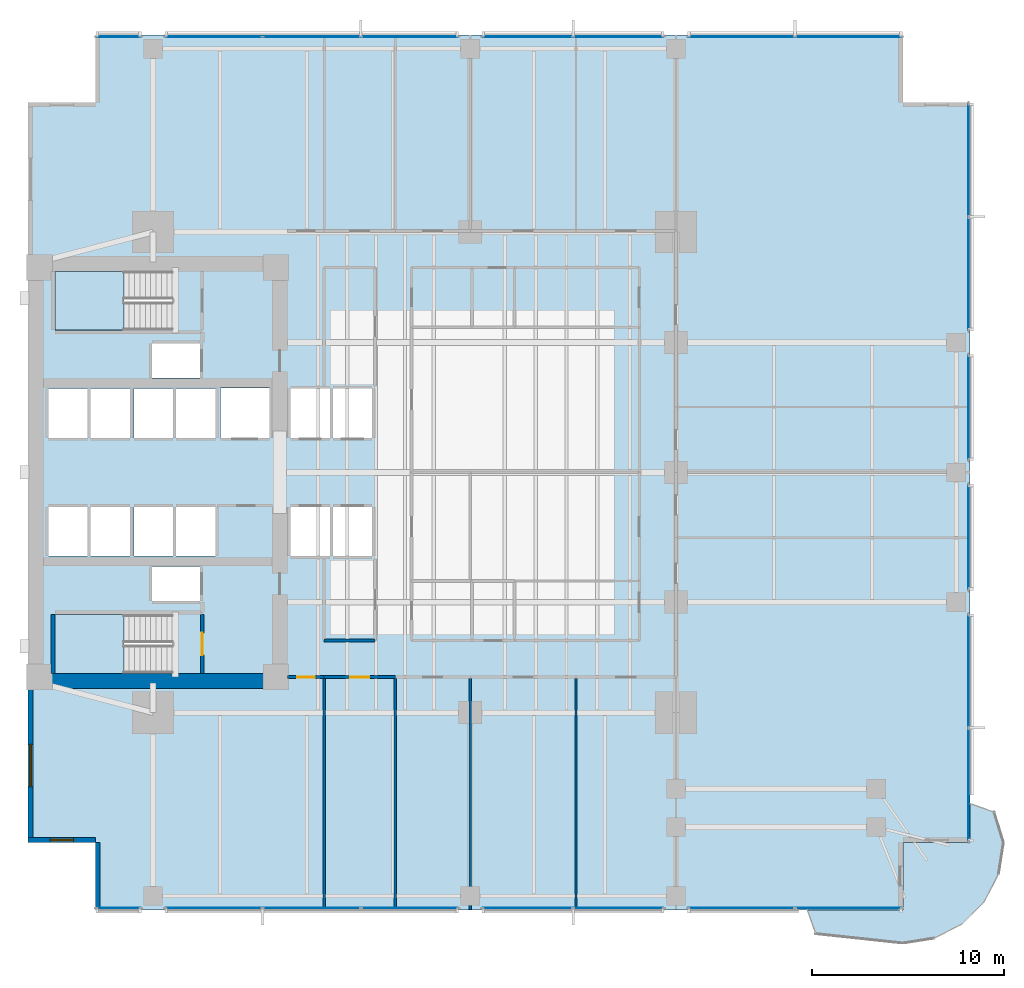
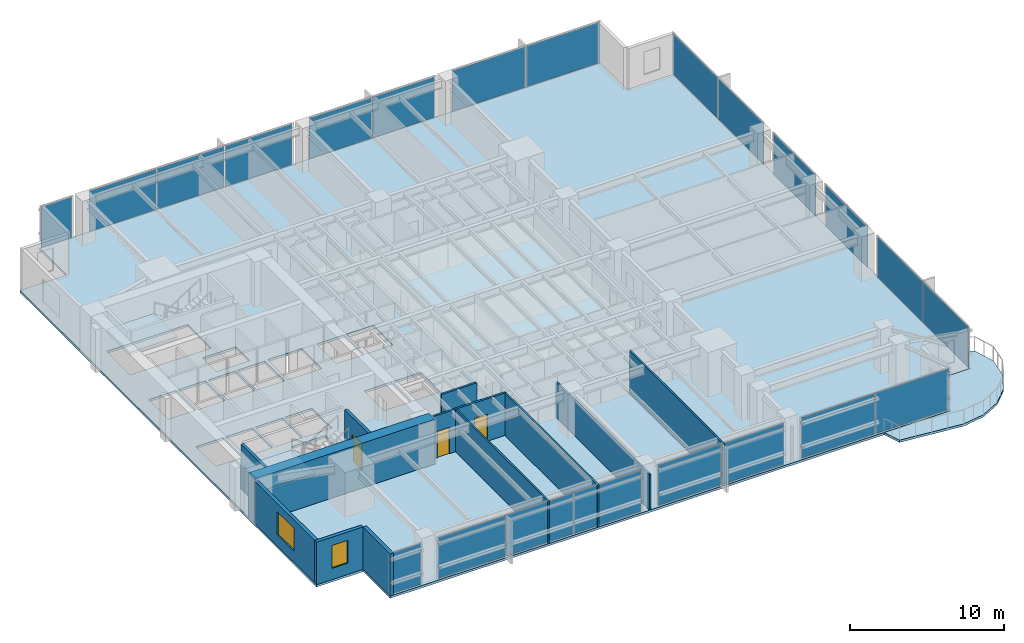
# One storey, part 7 of 15: 22 plates, 13 walls, 4 slabs, 3 doors, 2 windows, 5 openings, 14 elements without a shape of their own.
"""IFC4 building model written with IfcOpenShell, lengths in metres."""

import ifcopenshell
import ifcopenshell.guid

model = None  # the IFC model being written
_history = None  # IfcOwnerHistory: only IFC2X3 demands one
_inside = {}  # id of a spatial element -> (the spatial element, [elements in it])
_under = {}  # id of a project, library or spatial element -> (it, [spatial elements below it])
_declared = {}  # id of a project -> (the project, [libraries it declares])
_typed = {}  # id of a type object -> (the type object, [elements of that type])
_made_of = {}  # id of a material, layer set ... -> (it, [elements and type objects made of it])


def new_model(schema):
    """Start an empty IFC model of exactly this schema.

    Asked for "IFC4X3", IfcOpenShell would pick the latest addendum, in which some entities
    have other attributes; the version numbers below select the first issue.
    IFC2X3 requires an IfcOwnerHistory on every rooted entity: one is made here for all.
    """
    global model, _history
    if schema == "IFC4X3":
        model = ifcopenshell.file(schema_version=(4, 3, 0, 0))
    else:
        model = ifcopenshell.file(schema=schema)
    _inside.clear()
    _under.clear()
    _declared.clear()
    _typed.clear()
    _made_of.clear()
    _history = None
    if model.schema == "IFC2X3":
        org = make("IfcOrganization", Name="unknown")
        user = make(
            "IfcPersonAndOrganization",
            ThePerson=make("IfcPerson", FamilyName="unknown"),
            TheOrganization=org,
        )
        app = make(
            "IfcApplication",
            ApplicationDeveloper=org,
            Version="unknown",
            ApplicationFullName="unknown",
            ApplicationIdentifier="unknown",
        )
        _history = make(
            "IfcOwnerHistory",
            OwningUser=user,
            OwningApplication=app,
            ChangeAction="ADDED",
            CreationDate=0,
        )
    return model


def make(cls, **values):
    """One entity of the class cls with the attributes given. An attribute that is None is left unset."""
    return model.create_entity(
        cls, **{name: value for name, value in values.items() if value is not None}
    )


def rooted(cls, **values):
    """An entity with a GlobalId (a new one), such as an element, a storey or a relation."""
    return make(cls, GlobalId=ifcopenshell.guid.new(), OwnerHistory=_history, **values)


def si_unit(unit_type, name, prefix=None):
    """IfcSIUnit, for example si_unit("LENGTHUNIT", "METRE", prefix="MILLI")."""
    return make("IfcSIUnit", UnitType=unit_type, Prefix=prefix, Name=name)


def assignment(units):
    """IfcUnitAssignment: the units of a project."""
    return None if units is None else make("IfcUnitAssignment", Units=units)


def point(xyz):
    """IfcCartesianPoint."""
    return None if xyz is None else make("IfcCartesianPoint", Coordinates=xyz)


def direction(xyz):
    """IfcDirection."""
    return None if xyz is None else make("IfcDirection", DirectionRatios=xyz)


def frame(location, z_axis=None, x_axis=None):
    """IfcAxis2Placement3D, a coordinate frame: its origin and axes. An axis left out is left unset."""
    return make(
        "IfcAxis2Placement3D",
        Location=point(location),
        Axis=direction(z_axis),
        RefDirection=direction(x_axis),
    )


def frame_2d(location, x_axis=None):
    """IfcAxis2Placement2D, a coordinate frame in the plane: its origin and x axis."""
    return make(
        "IfcAxis2Placement2D", Location=point(location), RefDirection=direction(x_axis)
    )


def origin():
    """The frame at (0, 0, 0) with its axes left unset."""
    return frame((0.0, 0.0, 0.0))


def origin_2d():
    """The frame at (0, 0) in the plane with its x axis left unset."""
    return frame_2d((0.0, 0.0))


def place(relative_to, where):
    """IfcLocalPlacement: puts the frame where relative to a parent placement (None: the world)."""
    return make(
        "IfcLocalPlacement", PlacementRelTo=relative_to, RelativePlacement=where
    )


def context(
    kind, dimensions, precision=None, world=None, true_north=None, identifier=None
):
    """IfcGeometricRepresentationContext, for example the 3D "Model" context."""
    return make(
        "IfcGeometricRepresentationContext",
        ContextIdentifier=identifier,
        ContextType=kind,
        CoordinateSpaceDimension=dimensions,
        Precision=precision,
        WorldCoordinateSystem=world,
        TrueNorth=true_north,
    )


def subcontext(parent, identifier, kind, view, scale=None):
    """IfcGeometricRepresentationSubContext, for example "Body" below "Model"."""
    return make(
        "IfcGeometricRepresentationSubContext",
        ContextIdentifier=identifier,
        ContextType=kind,
        ParentContext=parent,
        TargetScale=scale,
        TargetView=view,
    )


def project(units=None, contexts=None):
    """IfcProject with its units and contexts."""
    return rooted(
        "IfcProject",
        Name="project",
        RepresentationContexts=contexts,
        UnitsInContext=assignment(units),
    )


def spatial(cls, under=None, at=None, **own):
    """A site, building, storey or space (cls), placed at a placement, below another one or the project."""
    s = rooted(cls, ObjectPlacement=at, **own)
    if under is not None:
        _under.setdefault(under.id(), (under, []))[1].append(s)
    return s


def polyline(points):
    """IfcPolyline through the points."""
    return make("IfcPolyline", Points=[point(p) for p in points])


def profile(cls, at=None, kind="AREA", **sizes):
    """A parametric profile (cls). Its sizes go by their IFC names, for example OverallWidth=200.0."""
    return make(cls, ProfileType=kind, Position=at, **sizes)


def rectangle(**sizes):
    """IfcRectangleProfileDef."""
    return profile("IfcRectangleProfileDef", **sizes)


def outline(outer, holes=None, kind="AREA"):
    """IfcArbitraryClosedProfileDef: a profile drawn as a closed curve; with holes, ...WithVoids."""
    if holes is None:
        return make("IfcArbitraryClosedProfileDef", ProfileType=kind, OuterCurve=outer)
    return make(
        "IfcArbitraryProfileDefWithVoids",
        ProfileType=kind,
        OuterCurve=outer,
        InnerCurves=holes,
    )


def extrude(swept, where, along, depth):
    """IfcExtrudedAreaSolid: the profile swept, set in the frame where, extruded along a direction by depth."""
    return make(
        "IfcExtrudedAreaSolid",
        SweptArea=swept,
        Position=where,
        ExtrudedDirection=direction(along),
        Depth=depth,
    )


def shape(context_of_items, identifier, shape_type, items):
    """IfcShapeRepresentation: the items that make up one representation, for example the "Body"."""
    return make(
        "IfcShapeRepresentation",
        ContextOfItems=context_of_items,
        RepresentationIdentifier=identifier,
        RepresentationType=shape_type,
        Items=items,
    )


def material(Name=None, Category=None):
    """IfcMaterial."""
    return make("IfcMaterial", Name=Name, Category=Category)


def layer(
    of_material, thickness, ventilated=None, Name=None, Category=None, Priority=None
):
    """IfcMaterialLayer: one layer of a wall or slab, of a material (None: an air gap)."""
    return make(
        "IfcMaterialLayer",
        Material=of_material,
        LayerThickness=thickness,
        IsVentilated=ventilated,
        Name=Name,
        Category=Category,
        Priority=Priority,
    )


def layer_set(layers, Name=None):
    """IfcMaterialLayerSet."""
    return make("IfcMaterialLayerSet", MaterialLayers=layers, LayerSetName=Name)


def made_of(thing, what):
    """Note that an element or type object is made of a material, layer set ...; save() writes the relation."""
    if what is not None:
        _made_of.setdefault(what.id(), (what, []))[1].append(thing)
    return thing


def type_object(cls, material=None, **own):
    """A type object (cls), such as IfcWallType, which elements share."""
    return made_of(rooted(cls, **own), material)


def element(
    cls,
    number,
    at=None,
    inside=None,
    cuts=None,
    type_object=None,
    material=None,
    context=None,
    identifier="Body",
    shape_type=None,
    held_by="IfcProductDefinitionShape",
    body=None,
    shapes=None,
    **own,
):
    """One element of the class cls, such as IfcWall. Its Tag is "e" and its number.

    at: its placement. inside: the storey or other place that contains it. cuts: it is an
    opening in that element (IfcRelVoidsElement). A single representation is given by context,
    identifier, shape_type and body (its items); several are given by shapes. held_by: the class
    of the entity that holds the representations. save() writes the other relations.
    """
    e = rooted(cls, Tag="e%d" % number, ObjectPlacement=at, **own)
    if body is not None:
        shapes = [shape(context, identifier, shape_type, body)]
    if shapes is not None:
        e.Representation = make(held_by, Representations=shapes)
    if inside is not None:
        _inside.setdefault(inside.id(), (inside, []))[1].append(e)
    if cuts is not None:
        rooted(
            "IfcRelVoidsElement", RelatingBuildingElement=cuts, RelatedOpeningElement=e
        )
    if type_object is not None:
        _typed.setdefault(type_object.id(), (type_object, []))[1].append(e)
    return made_of(e, material)


def fill(opening, filler):
    """IfcRelFillsElement: the door or window that sits in an opening."""
    return rooted(
        "IfcRelFillsElement",
        RelatingOpeningElement=opening,
        RelatedBuildingElement=filler,
    )


def aggregate(whole, parts):
    """IfcRelAggregates: a whole, such as a stair, and the parts it consists of."""
    return rooted("IfcRelAggregates", RelatingObject=whole, RelatedObjects=parts)


def save(model, path):
    """Write the relations noted so far, then the file.

    IfcRelAggregates (storeys below a building ...), IfcRelContainedInSpatialStructure (elements
    in a storey), IfcRelDefinesByType, IfcRelAssociatesMaterial and IfcRelDeclares: one each for
    every whole, place, type object, material and project.
    """
    for whole, parts in _under.values():
        aggregate(whole, parts)
    for where, things in _inside.values():
        rooted(
            "IfcRelContainedInSpatialStructure",
            RelatedElements=things,
            RelatingStructure=where,
        )
    for kind, things in _typed.values():
        rooted("IfcRelDefinesByType", RelatedObjects=things, RelatingType=kind)
    for what, things in _made_of.values():
        rooted("IfcRelAssociatesMaterial", RelatedObjects=things, RelatingMaterial=what)
    for by, libraries in _declared.values():
        rooted("IfcRelDeclares", RelatingContext=by, RelatedDefinitions=libraries)
    model.write(path)


model = new_model("IFC4")

# Units and contexts
model_context = context("Model", 3, precision=1e-05, world=origin(), true_north=direction((0.0, 1.0)))
body_context = subcontext(model_context, "Body", "Model", "MODEL_VIEW")
ifc_project = project(units=[si_unit("LENGTHUNIT", "METRE"), si_unit("AREAUNIT", "SQUARE_METRE"), si_unit("VOLUMEUNIT", "CUBIC_METRE"), si_unit("PLANEANGLEUNIT", "RADIAN"), si_unit("MASSUNIT", "GRAM", prefix="KILO")], contexts=[model_context])

# Site, building, storey
site_placement = place(None, origin())
site = spatial("IfcSite", under=ifc_project, at=site_placement, CompositionType="ELEMENT")
building_placement = place(site_placement, origin())
building = spatial("IfcBuilding", under=site, at=building_placement, Name="Kinhvarn Gate Tower", CompositionType="ELEMENT")
storey_placement = place(building_placement, frame((0.0, 0.0, 64.64990234375)))
storey = spatial("IfcBuildingStorey", under=building, at=storey_placement, Name="L16", CompositionType="ELEMENT", Elevation=64.64990234375)

# Curtain wall, plate
ifc_material_1 = material(Name="Anodised aluminium AW-6063", Category="aluminium")
ifc_layer_1 = layer(ifc_material_1, 0.179931640625)
ifc_layer_set_1 = layer_set([ifc_layer_1], Name="Anodised aluminium AW-6063")
curtain_wall_type = type_object("IfcCurtainWallType", Name="CW-SYS-2", PredefinedType="NOTDEFINED", material=ifc_layer_set_1)
curtain_wall_1_placement = place(storey_placement, origin())
curtain_wall_1 = element("IfcCurtainWall", 1, at=curtain_wall_1_placement, inside=storey, type_object=curtain_wall_type, Name="Curtain Wall CW2 (L16)", PredefinedType="NOTDEFINED")
ifc_material_2 = material(Name="Clear low-e double glazing", Category="glass")
ifc_layer_2 = layer(ifc_material_2, 0.031982421875)
ifc_layer_set_2 = layer_set([ifc_layer_2], Name="Clear low-e double glazing")
plate_type = type_object("IfcPlateType", Name="CW-PNL-VIS", PredefinedType="CURTAIN_PANEL", material=ifc_layer_set_2)
plate_1_placement = place(storey_placement, frame((9.2099609375, 2.590087890625, 0.070068359375), z_axis=(0.0, 0.0, 1.0), x_axis=(1.0, 0.0, 0.0)))
plate_1 = element("IfcPlate", 2, at=plate_1_placement, type_object=plate_type, Name="CW2 panel 1.1", PredefinedType="CURTAIN_PANEL", context=body_context, shape_type="SweptSolid", body=[
    extrude(rectangle(XDim=2.280029296875, YDim=0.031982421875, at=origin_2d()), origin(), (0.0, 0.0, 1.0), 3.22998046875),
])
aggregate(curtain_wall_1, [plate_1])

# Curtain wall, plates
curtain_wall_2_placement = place(storey_placement, origin())
curtain_wall_2 = element("IfcCurtainWall", 3, at=curtain_wall_2_placement, inside=storey, type_object=curtain_wall_type, Name="Curtain Wall CW2 (L16)", PredefinedType="NOTDEFINED")
plate_2_placement = place(storey_placement, frame((14.154052734375, 2.590087890625, 0.070068359375), z_axis=(0.0, 0.0, 1.0), x_axis=(1.0, 0.0, 0.0)))
plate_2 = element("IfcPlate", 4, at=plate_2_placement, type_object=plate_type, Name="CW2 panel 1.1", PredefinedType="CURTAIN_PANEL", context=body_context, shape_type="SweptSolid", body=[
    extrude(rectangle(XDim=5.00830078125, YDim=0.031982421875, at=origin_2d()), origin(), (0.0, 0.0, 1.0), 3.22998046875),
])
plate_3_placement = place(storey_placement, frame((19.25, 2.590087890625, 0.070068359375), z_axis=(0.0, 0.0, 1.0), x_axis=(1.0, 0.0, 0.0)))
plate_3 = element("IfcPlate", 5, at=plate_3_placement, type_object=plate_type, Name="CW2 panel 2.1", PredefinedType="CURTAIN_PANEL", context=body_context, shape_type="SweptSolid", body=[
    extrude(rectangle(XDim=5.043212890625, YDim=0.031982421875, at=origin_2d()), origin(), (0.0, 0.0, 1.0), 3.22998046875),
])
plate_4_placement = place(storey_placement, frame((24.345947265625, 2.590087890625, 0.070068359375), z_axis=(0.0, 0.0, 1.0), x_axis=(1.0, 0.0, 0.0)))
plate_4 = element("IfcPlate", 6, at=plate_4_placement, type_object=plate_type, Name="CW2 panel 3.1", PredefinedType="CURTAIN_PANEL", context=body_context, shape_type="SweptSolid", body=[
    extrude(rectangle(XDim=5.00830078125, YDim=0.031982421875, at=origin_2d()), origin(), (0.0, 0.0, 1.0), 3.22998046875),
])
aggregate(curtain_wall_2, [plate_2, plate_3, plate_4])

curtain_wall_3_placement = place(storey_placement, origin())
curtain_wall_3 = element("IfcCurtainWall", 7, at=curtain_wall_3_placement, inside=storey, type_object=curtain_wall_type, Name="Curtain Wall CW2 (L16)", PredefinedType="NOTDEFINED")
plate_5_placement = place(storey_placement, frame((30.482421875, 2.590087890625, 0.070068359375), z_axis=(0.0, 0.0, 1.0), x_axis=(1.0, 0.0, 0.0)))
plate_5 = element("IfcPlate", 8, at=plate_5_placement, type_object=plate_type, Name="CW2 panel 1.1", PredefinedType="CURTAIN_PANEL", context=body_context, shape_type="SweptSolid", body=[
    extrude(rectangle(XDim=4.6650390625, YDim=0.031982421875, at=origin_2d()), origin(), (0.0, 0.0, 1.0), 3.22998046875),
])
plate_6_placement = place(storey_placement, frame((35.217529296875, 2.590087890625, 0.070068359375), z_axis=(0.0, 0.0, 1.0), x_axis=(1.0, 0.0, 0.0)))
plate_6 = element("IfcPlate", 9, at=plate_6_placement, type_object=plate_type, Name="CW2 panel 2.1", PredefinedType="CURTAIN_PANEL", context=body_context, shape_type="SweptSolid", body=[
    extrude(rectangle(XDim=4.6650390625, YDim=0.031982421875, at=origin_2d()), origin(), (0.0, 0.0, 1.0), 3.22998046875),
])
aggregate(curtain_wall_3, [plate_5, plate_6])

curtain_wall_4_placement = place(storey_placement, origin())
curtain_wall_4 = element("IfcCurtainWall", 10, at=curtain_wall_4_placement, inside=storey, type_object=curtain_wall_type, Name="Curtain Wall CW2 (L16)", PredefinedType="NOTDEFINED")
plate_7_placement = place(storey_placement, frame((41.6025390625, 2.590087890625, 0.070068359375), z_axis=(0.0, 0.0, 1.0), x_axis=(1.0, 0.0, 0.0)))
plate_7 = element("IfcPlate", 11, at=plate_7_placement, type_object=plate_type, Name="CW2 panel 1.1", PredefinedType="CURTAIN_PANEL", context=body_context, shape_type="SweptSolid", body=[
    extrude(rectangle(XDim=5.5048828125, YDim=0.031982421875, at=origin_2d()), origin(), (0.0, 0.0, 1.0), 3.22998046875),
])
plate_8_placement = place(storey_placement, frame((47.177490234375, 2.590087890625, 0.070068359375), z_axis=(0.0, 0.0, 1.0), x_axis=(1.0, 0.0, 0.0)))
plate_8 = element("IfcPlate", 12, at=plate_8_placement, type_object=plate_type, Name="CW2 panel 2.1", PredefinedType="CURTAIN_PANEL", context=body_context, shape_type="SweptSolid", body=[
    extrude(rectangle(XDim=5.5048828125, YDim=0.031982421875, at=origin_2d()), origin(), (0.0, 0.0, 1.0), 3.22998046875),
])
aggregate(curtain_wall_4, [plate_7, plate_8])

curtain_wall_5_placement = place(storey_placement, origin())
curtain_wall_5 = element("IfcCurtainWall", 13, at=curtain_wall_5_placement, inside=storey, type_object=curtain_wall_type, Name="Curtain Wall CW2 (L16)", PredefinedType="NOTDEFINED")
plate_9_placement = place(storey_placement, frame((47.177490234375, 47.909912109375, 0.070068359375), z_axis=(0.0, 0.0, 1.0), x_axis=(-1.0, 0.0, 0.0)))
plate_9 = element("IfcPlate", 14, at=plate_9_placement, type_object=plate_type, Name="CW2 panel 1.1", PredefinedType="CURTAIN_PANEL", context=body_context, shape_type="SweptSolid", body=[
    extrude(rectangle(XDim=5.5048828125, YDim=0.031982421875, at=origin_2d()), origin(), (0.0, 0.0, 1.0), 3.22998046875),
])
plate_10_placement = place(storey_placement, frame((41.6025390625, 47.909912109375, 0.070068359375), z_axis=(0.0, 0.0, 1.0), x_axis=(-1.0, 0.0, 0.0)))
plate_10 = element("IfcPlate", 15, at=plate_10_placement, type_object=plate_type, Name="CW2 panel 2.1", PredefinedType="CURTAIN_PANEL", context=body_context, shape_type="SweptSolid", body=[
    extrude(rectangle(XDim=5.5048828125, YDim=0.031982421875, at=origin_2d()), origin(), (0.0, 0.0, 1.0), 3.22998046875),
])
aggregate(curtain_wall_5, [plate_9, plate_10])

curtain_wall_6_placement = place(storey_placement, origin())
curtain_wall_6 = element("IfcCurtainWall", 16, at=curtain_wall_6_placement, inside=storey, type_object=curtain_wall_type, Name="Curtain Wall CW2 (L16)", PredefinedType="NOTDEFINED")
plate_11_placement = place(storey_placement, frame((35.217529296875, 47.909912109375, 0.070068359375), z_axis=(0.0, 0.0, 1.0), x_axis=(-1.0, 0.0, 0.0)))
plate_11 = element("IfcPlate", 17, at=plate_11_placement, type_object=plate_type, Name="CW2 panel 1.1", PredefinedType="CURTAIN_PANEL", context=body_context, shape_type="SweptSolid", body=[
    extrude(rectangle(XDim=4.6650390625, YDim=0.031982421875, at=origin_2d()), origin(), (0.0, 0.0, 1.0), 3.22998046875),
])
plate_12_placement = place(storey_placement, frame((30.482421875, 47.909912109375, 0.070068359375), z_axis=(0.0, 0.0, 1.0), x_axis=(-1.0, 0.0, 0.0)))
plate_12 = element("IfcPlate", 18, at=plate_12_placement, type_object=plate_type, Name="CW2 panel 2.1", PredefinedType="CURTAIN_PANEL", context=body_context, shape_type="SweptSolid", body=[
    extrude(rectangle(XDim=4.6650390625, YDim=0.031982421875, at=origin_2d()), origin(), (0.0, 0.0, 1.0), 3.22998046875),
])
aggregate(curtain_wall_6, [plate_11, plate_12])

curtain_wall_7_placement = place(storey_placement, origin())
curtain_wall_7 = element("IfcCurtainWall", 19, at=curtain_wall_7_placement, inside=storey, type_object=curtain_wall_type, Name="Curtain Wall CW2 (L16)", PredefinedType="NOTDEFINED")
plate_13_placement = place(storey_placement, frame((24.345947265625, 47.909912109375, 0.070068359375), z_axis=(0.0, 0.0, 1.0), x_axis=(-1.0, 0.0, 0.0)))
plate_13 = element("IfcPlate", 20, at=plate_13_placement, type_object=plate_type, Name="CW2 panel 1.1", PredefinedType="CURTAIN_PANEL", context=body_context, shape_type="SweptSolid", body=[
    extrude(rectangle(XDim=5.00830078125, YDim=0.031982421875, at=origin_2d()), origin(), (0.0, 0.0, 1.0), 3.22998046875),
])
plate_14_placement = place(storey_placement, frame((19.25, 47.909912109375, 0.070068359375), z_axis=(0.0, 0.0, 1.0), x_axis=(-1.0, 0.0, 0.0)))
plate_14 = element("IfcPlate", 21, at=plate_14_placement, type_object=plate_type, Name="CW2 panel 2.1", PredefinedType="CURTAIN_PANEL", context=body_context, shape_type="SweptSolid", body=[
    extrude(rectangle(XDim=5.043212890625, YDim=0.031982421875, at=origin_2d()), origin(), (0.0, 0.0, 1.0), 3.22998046875),
])
plate_15_placement = place(storey_placement, frame((14.154052734375, 47.909912109375, 0.070068359375), z_axis=(0.0, 0.0, 1.0), x_axis=(-1.0, 0.0, 0.0)))
plate_15 = element("IfcPlate", 22, at=plate_15_placement, type_object=plate_type, Name="CW2 panel 3.1", PredefinedType="CURTAIN_PANEL", context=body_context, shape_type="SweptSolid", body=[
    extrude(rectangle(XDim=5.00830078125, YDim=0.031982421875, at=origin_2d()), origin(), (0.0, 0.0, 1.0), 3.22998046875),
])
aggregate(curtain_wall_7, [plate_13, plate_14, plate_15])

# Curtain wall, plate
curtain_wall_8_placement = place(storey_placement, origin())
curtain_wall_8 = element("IfcCurtainWall", 23, at=curtain_wall_8_placement, inside=storey, type_object=curtain_wall_type, Name="Curtain Wall CW2 (L16)", PredefinedType="NOTDEFINED")
plate_16_placement = place(storey_placement, frame((9.2099609375, 47.909912109375, 0.070068359375), z_axis=(0.0, 0.0, 1.0), x_axis=(-1.0, 0.0, 0.0)))
plate_16 = element("IfcPlate", 24, at=plate_16_placement, type_object=plate_type, Name="CW2 panel 1.1", PredefinedType="CURTAIN_PANEL", context=body_context, shape_type="SweptSolid", body=[
    extrude(rectangle(XDim=2.280029296875, YDim=0.031982421875, at=origin_2d()), origin(), (0.0, 0.0, 1.0), 3.22998046875),
])
aggregate(curtain_wall_8, [plate_16])

# Curtain wall, plates
curtain_wall_9_placement = place(storey_placement, origin())
curtain_wall_9 = element("IfcCurtainWall", 25, at=curtain_wall_9_placement, inside=storey, type_object=curtain_wall_type, Name="Curtain Wall CW2 (L16)", PredefinedType="NOTDEFINED")
plate_17_placement = place(storey_placement, frame((53.409912109375, 8.99755859375, 0.070068359375), z_axis=(0.0, 0.0, 1.0), x_axis=(0.0, 1.0, 0.0)))
plate_17 = element("IfcPlate", 26, at=plate_17_placement, type_object=plate_type, Name="CW2 panel 1.1", PredefinedType="CURTAIN_PANEL", context=body_context, shape_type="SweptSolid", body=[
    extrude(rectangle(XDim=5.85498046875, YDim=0.031982421875, at=origin_2d()), origin(), (0.0, 0.0, 1.0), 3.22998046875),
])
plate_18_placement = place(storey_placement, frame((53.409912109375, 14.922607421875, 0.070068359375), z_axis=(0.0, 0.0, 1.0), x_axis=(0.0, 1.0, 0.0)))
plate_18 = element("IfcPlate", 27, at=plate_18_placement, type_object=plate_type, Name="CW2 panel 2.1", PredefinedType="CURTAIN_PANEL", context=body_context, shape_type="SweptSolid", body=[
    extrude(rectangle(XDim=5.85498046875, YDim=0.031982421875, at=origin_2d()), origin(), (0.0, 0.0, 1.0), 3.22998046875),
])
aggregate(curtain_wall_9, [plate_17, plate_18])

# Curtain wall, plate
curtain_wall_10_placement = place(storey_placement, origin())
curtain_wall_10 = element("IfcCurtainWall", 28, at=curtain_wall_10_placement, inside=storey, type_object=curtain_wall_type, Name="Curtain Wall CW2 (L16)", PredefinedType="NOTDEFINED")
plate_19_placement = place(storey_placement, frame((53.409912109375, 21.875, 0.070068359375), z_axis=(0.0, 0.0, 1.0), x_axis=(0.0, 1.0, 0.0)))
plate_19 = element("IfcPlate", 29, at=plate_19_placement, type_object=plate_type, Name="CW2 panel 1.1", PredefinedType="CURTAIN_PANEL", context=body_context, shape_type="SweptSolid", body=[
    extrude(rectangle(XDim=5.449951171875, YDim=0.031982421875, at=origin_2d()), origin(), (0.0, 0.0, 1.0), 3.22998046875),
])
aggregate(curtain_wall_10, [plate_19])

curtain_wall_11_placement = place(storey_placement, origin())
curtain_wall_11 = element("IfcCurtainWall", 30, at=curtain_wall_11_placement, inside=storey, type_object=curtain_wall_type, Name="Curtain Wall CW2 (L16)", PredefinedType="NOTDEFINED")
plate_20_placement = place(storey_placement, frame((53.409912109375, 28.625, 0.070068359375), z_axis=(0.0, 0.0, 1.0), x_axis=(0.0, 1.0, 0.0)))
plate_20 = element("IfcPlate", 31, at=plate_20_placement, type_object=plate_type, Name="CW2 panel 1.1", PredefinedType="CURTAIN_PANEL", context=body_context, shape_type="SweptSolid", body=[
    extrude(rectangle(XDim=5.449951171875, YDim=0.031982421875, at=origin_2d()), origin(), (0.0, 0.0, 1.0), 3.22998046875),
])
aggregate(curtain_wall_11, [plate_20])

# Curtain wall, plates
curtain_wall_12_placement = place(storey_placement, origin())
curtain_wall_12 = element("IfcCurtainWall", 32, at=curtain_wall_12_placement, inside=storey, type_object=curtain_wall_type, Name="Curtain Wall CW2 (L16)", PredefinedType="NOTDEFINED")
plate_21_placement = place(storey_placement, frame((53.409912109375, 35.577392578125, 0.070068359375), z_axis=(0.0, 0.0, 1.0), x_axis=(0.0, 1.0, 0.0)))
plate_21 = element("IfcPlate", 33, at=plate_21_placement, type_object=plate_type, Name="CW2 panel 1.1", PredefinedType="CURTAIN_PANEL", context=body_context, shape_type="SweptSolid", body=[
    extrude(rectangle(XDim=5.85498046875, YDim=0.031982421875, at=origin_2d()), origin(), (0.0, 0.0, 1.0), 3.22998046875),
])
plate_22_placement = place(storey_placement, frame((53.409912109375, 41.50244140625, 0.070068359375), z_axis=(0.0, 0.0, 1.0), x_axis=(0.0, 1.0, 0.0)))
plate_22 = element("IfcPlate", 34, at=plate_22_placement, type_object=plate_type, Name="CW2 panel 2.1", PredefinedType="CURTAIN_PANEL", context=body_context, shape_type="SweptSolid", body=[
    extrude(rectangle(XDim=5.85498046875, YDim=0.031982421875, at=origin_2d()), origin(), (0.0, 0.0, 1.0), 3.22998046875),
])
aggregate(curtain_wall_12, [plate_21, plate_22])

# Slabs
ifc_material_3 = material(Name="Precast white architectural concrete C40/50", Category="concrete")
ifc_layer_3 = layer(ifc_material_3, 0.179931640625)
ifc_layer_set_3 = layer_set([ifc_layer_3], Name="Precast white architectural concrete C40/50")
slab_type_1 = type_object("IfcSlabType", Name="SLB-BAL-180", PredefinedType="FLOOR", material=ifc_layer_set_3)
slab_1_placement = place(storey_placement, frame((0.0, 0.0, -0.179931640625)))
element("IfcSlab", 35, at=slab_1_placement, inside=storey, type_object=slab_type_1, Name="S-Carve Curved Terrace Balcony Slab L16 (SE)", PredefinedType="FLOOR", context=body_context, shape_type="SweptSolid", body=[
    extrude(outline(polyline([(45.02587890625, 2.5), (45.47607421875, 1.24853515625), (50.0, 0.761962890625), (51.61865234375, 1.018310546875), (53.078857421875, 1.762451171875), (54.237548828125, 2.921142578125), (54.981689453125, 4.38134765625), (55.238037109375, 6.0), (54.75146484375, 7.572998046875), (53.5, 8.02294921875), (53.5, 6.0), (50.0, 6.0), (50.0, 2.5), (45.02587890625, 2.5)])), origin(), (0.0, 0.0, 1.0), 0.179931640625),
])
ifc_material_4 = material(Name="Concrete C40/50", Category="concrete")
ifc_layer_4 = layer(ifc_material_4, 0.179931640625)
ifc_layer_set_4 = layer_set([ifc_layer_4], Name="Concrete C40/50")
slab_type_2 = type_object("IfcSlabType", Name="SLB-FLR-180", PredefinedType="FLOOR", material=ifc_layer_set_4)
slab_2_placement = place(storey_placement, frame((0.0, 0.0, -0.179931640625)))
element("IfcSlab", 36, at=slab_2_placement, inside=storey, type_object=slab_type_2, Name="Suspended Floor Slab L16", PredefinedType="FLOOR", context=body_context, shape_type="SweptSolid", body=[
    extrude(outline(polyline([(8.0, 2.5), (50.0, 2.5), (50.0, 6.0), (53.5, 6.0), (53.5, 44.5), (50.0, 44.5), (50.0, 48.0), (8.0, 48.0), (8.0, 44.5), (4.5, 44.5), (4.5, 6.0), (8.0, 6.0), (8.0, 2.5)]), holes=[polyline([(5.89990234375, 14.800048828125), (12.0, 14.800048828125), (12.0, 17.85009765625), (5.89990234375, 17.85009765625), (5.89990234375, 14.800048828125)]), polyline([(5.89990234375, 32.64990234375), (12.0, 32.64990234375), (12.0, 35.699951171875), (5.89990234375, 35.699951171875), (5.89990234375, 32.64990234375)]), polyline([(18.14990234375, 20.89990234375), (20.199951171875, 20.89990234375), (20.199951171875, 23.449951171875), (18.14990234375, 23.449951171875), (18.14990234375, 20.89990234375)]), polyline([(20.35009765625, 20.89990234375), (22.39990234375, 20.89990234375), (22.39990234375, 23.449951171875), (20.35009765625, 23.449951171875), (20.35009765625, 20.89990234375)]), polyline([(18.14990234375, 27.050048828125), (20.199951171875, 27.050048828125), (20.199951171875, 29.60009765625), (18.14990234375, 29.60009765625), (18.14990234375, 27.050048828125)]), polyline([(20.35009765625, 27.050048828125), (22.39990234375, 27.050048828125), (22.39990234375, 29.60009765625), (20.35009765625, 29.60009765625), (20.35009765625, 27.050048828125)]), polyline([(5.550048828125, 20.89990234375), (7.60009765625, 20.89990234375), (7.60009765625, 23.449951171875), (5.550048828125, 23.449951171875), (5.550048828125, 20.89990234375)]), polyline([(7.75, 20.89990234375), (9.800048828125, 20.89990234375), (9.800048828125, 23.449951171875), (7.75, 23.449951171875), (7.75, 20.89990234375)]), polyline([(5.550048828125, 27.050048828125), (7.60009765625, 27.050048828125), (7.60009765625, 29.60009765625), (5.550048828125, 29.60009765625), (5.550048828125, 27.050048828125)]), polyline([(7.75, 27.050048828125), (9.800048828125, 27.050048828125), (9.800048828125, 29.60009765625), (7.75, 29.60009765625), (7.75, 27.050048828125)]), polyline([(10.0, 20.89990234375), (12.050048828125, 20.89990234375), (12.050048828125, 23.449951171875), (10.0, 23.449951171875), (10.0, 20.89990234375)]), polyline([(12.199951171875, 20.89990234375), (14.25, 20.89990234375), (14.25, 23.449951171875), (12.199951171875, 23.449951171875), (12.199951171875, 20.89990234375)]), polyline([(10.0, 27.050048828125), (12.050048828125, 27.050048828125), (12.050048828125, 29.60009765625), (10.0, 29.60009765625), (10.0, 27.050048828125)]), polyline([(12.199951171875, 27.050048828125), (14.25, 27.050048828125), (14.25, 29.60009765625), (12.199951171875, 29.60009765625), (12.199951171875, 27.050048828125)]), polyline([(14.5, 27.050048828125), (17.050048828125, 27.050048828125), (17.050048828125, 29.64990234375), (14.5, 29.64990234375), (14.5, 27.050048828125)]), polyline([(10.949951171875, 18.550048828125), (13.449951171875, 18.550048828125), (13.449951171875, 20.35009765625), (10.949951171875, 20.35009765625), (10.949951171875, 18.550048828125)]), polyline([(10.949951171875, 30.14990234375), (13.449951171875, 30.14990234375), (13.449951171875, 31.949951171875), (10.949951171875, 31.949951171875), (10.949951171875, 30.14990234375)])]), origin(), (0.0, 0.0, 1.0), 0.179931640625),
])

# Stair, slab
stair_type = type_object("IfcStairType", Name="STR-DLG-177", PredefinedType="HALF_TURN_STAIR", material=ifc_material_4)
stair_1_placement = place(storey_placement, origin())
stair_1 = element("IfcStair", 37, at=stair_1_placement, inside=storey, type_object=stair_type, Name="L16 Core Smokeproof Exit Stair ST1", PredefinedType="HALF_TURN_STAIR")
ifc_layer_5 = layer(ifc_material_4, 0.199951171875)
ifc_layer_set_5 = layer_set([ifc_layer_5], Name="Concrete C40/50")
slab_type_3 = type_object("IfcSlabType", Name="SLB-ST-LND", PredefinedType="LANDING", material=ifc_layer_set_5)
slab_3_placement = place(storey_placement, frame((0.0, 0.0, 1.5751953125)))
slab_3 = element("IfcSlab", 38, at=slab_3_placement, type_object=slab_type_3, Name="ST1 landing 1", PredefinedType="LANDING", context=body_context, shape_type="SweptSolid", body=[
    extrude(outline(polyline([(9.47998046875, 17.85009765625), (5.89990234375, 17.85009765625), (5.89990234375, 14.800048828125), (9.47998046875, 14.800048828125), (9.47998046875, 17.85009765625)])), origin(), (0.0, 0.0, 1.0), 0.199951171875),
])
aggregate(stair_1, [slab_3])

stair_2_placement = place(storey_placement, origin())
stair_2 = element("IfcStair", 39, at=stair_2_placement, inside=storey, type_object=stair_type, Name="L16 Core Smokeproof Exit Stair ST2", PredefinedType="HALF_TURN_STAIR")
slab_4_placement = place(storey_placement, frame((0.0, 0.0, 1.5751953125)))
slab_4 = element("IfcSlab", 40, at=slab_4_placement, type_object=slab_type_3, Name="ST2 landing 1", PredefinedType="LANDING", context=body_context, shape_type="SweptSolid", body=[
    extrude(outline(polyline([(9.47998046875, 35.699951171875), (5.89990234375, 35.699951171875), (5.89990234375, 32.64990234375), (9.47998046875, 32.64990234375), (9.47998046875, 35.699951171875)])), origin(), (0.0, 0.0, 1.0), 0.199951171875),
])
aggregate(stair_2, [slab_4])

# Wall
ifc_material_5 = material(Name="Concrete C70/85", Category="concrete")
ifc_layer_6 = layer(ifc_material_5, 0.800048828125)
ifc_layer_set_6 = layer_set([ifc_layer_6], Name="Concrete C70/85")
wall_type_1 = type_object("IfcWallType", Name="WL-CORE-800", PredefinedType="SHEAR", material=ifc_layer_set_6)
wall_1_placement = place(storey_placement, frame((4.5, 14.39990234375, 0.0), z_axis=(0.0, 0.0, 1.0), x_axis=(1.0, 0.0, 0.0)))
element("IfcWall", 41, at=wall_1_placement, inside=storey, type_object=wall_type_1, Name="Core South Shear Wall L16 800 mm", PredefinedType="SHEAR", context=body_context, shape_type="SweptSolid", body=[
    extrude(rectangle(XDim=13.5, YDim=0.800048828125, at=frame_2d((6.75, 0.0))), origin(), (0.0, 0.0, 1.0), 3.550048828125),
])

# Wall, opening, window
ifc_material_6 = material(Name="Fired architectural terracotta", Category="masonry")
ifc_layer_7 = layer(ifc_material_6, 0.25)
ifc_layer_set_7 = layer_set([ifc_layer_7], Name="Fired architectural terracotta")
wall_type_2 = type_object("IfcWallType", Name="WL-EXT-250", PredefinedType="SOLIDWALL", material=ifc_layer_set_7)
wall_2_placement = place(storey_placement, frame((4.625, 14.0, 0.0), z_axis=(0.0, 0.0, 1.0), x_axis=(0.0, -1.0, 0.0)))
wall_2 = element("IfcWall", 42, at=wall_2_placement, inside=storey, type_object=wall_type_2, Name="Exterior Solidwall Wall EW-250 (L16 West-South)", PredefinedType="SOLIDWALL", context=body_context, shape_type="SweptSolid", body=[
    extrude(rectangle(XDim=8.0, YDim=0.25, at=frame_2d((4.0, 0.0))), origin(), (0.0, 0.0, 1.0), 3.3701171875),
])
opening_1_placement = place(wall_2_placement, frame((2.89990234375, 0.0, 0.89990234375)))
opening_1 = element("IfcOpeningElement", 43, at=opening_1_placement, cuts=wall_2, Name="Opening WN-01", PredefinedType="OPENING", context=body_context, shape_type="SweptSolid", body=[
    extrude(rectangle(XDim=2.199951171875, YDim=1.800048828125, at=frame_2d((1.10009765625, 0.89990234375))), frame((0.0, 0.135009765625, 0.0), z_axis=(0.0, -1.0, 0.0), x_axis=(1.0, 0.0, 0.0)), (0.0, 0.0, 1.0), 0.27001953125),
])
window_type_1 = type_object("IfcWindowType", Name="WIN-RIB-2200", PartitioningType="SINGLE_PANEL", PredefinedType="WINDOW", material=ifc_material_2)
window_1_placement = place(opening_1_placement, origin())
window_1 = element("IfcWindow", 44, at=window_1_placement, inside=storey, type_object=window_type_1, Name="West Flank Double-Glazed Ribbon Window 2200x1800 mm (L16)", OverallHeight=1.800048828125, OverallWidth=2.199951171875, PartitioningType="SINGLE_PANEL", PredefinedType="WINDOW", context=body_context, shape_type="SweptSolid", body=[
    extrude(rectangle(XDim=2.199951171875, YDim=1.800048828125, at=frame_2d((1.10009765625, 0.89990234375))), frame((0.0, 0.030029296875, 0.0), z_axis=(0.0, -1.0, 0.0), x_axis=(1.0, 0.0, 0.0)), (0.0, 0.0, 1.0), 0.06005859375),
])
fill(opening_1, window_1)

wall_3_placement = place(storey_placement, frame((4.5, 6.125, 0.0), z_axis=(0.0, 0.0, 1.0), x_axis=(1.0, 0.0, 0.0)))
wall_3 = element("IfcWall", 45, at=wall_3_placement, inside=storey, type_object=wall_type_2, Name="Exterior Solidwall Wall EW-250 (L16 SW-Notch-1)", PredefinedType="SOLIDWALL", context=body_context, shape_type="SweptSolid", body=[
    extrude(rectangle(XDim=3.5, YDim=0.25, at=frame_2d((1.75, 0.0))), origin(), (0.0, 0.0, 1.0), 3.3701171875),
])
opening_2_placement = place(wall_3_placement, frame((1.14990234375, 0.0, 0.89990234375)))
opening_2 = element("IfcOpeningElement", 46, at=opening_2_placement, cuts=wall_3, Name="Opening WN-02", PredefinedType="OPENING", context=body_context, shape_type="SweptSolid", body=[
    extrude(rectangle(XDim=1.199951171875, YDim=1.800048828125, at=frame_2d((0.60009765625, 0.89990234375))), frame((0.0, 0.135009765625, 0.0), z_axis=(0.0, -1.0, 0.0), x_axis=(1.0, 0.0, 0.0)), (0.0, 0.0, 1.0), 0.27001953125),
])
window_type_2 = type_object("IfcWindowType", Name="WIN-NTC-1200", PartitioningType="SINGLE_PANEL", PredefinedType="WINDOW", material=ifc_material_2)
window_2_placement = place(opening_2_placement, origin())
window_2 = element("IfcWindow", 47, at=window_2_placement, inside=storey, type_object=window_type_2, Name="Recessed Corner Notch Punched Window 1200x1800 mm (L16)", OverallHeight=1.800048828125, OverallWidth=1.199951171875, PartitioningType="SINGLE_PANEL", PredefinedType="WINDOW", context=body_context, shape_type="SweptSolid", body=[
    extrude(rectangle(XDim=1.199951171875, YDim=1.800048828125, at=frame_2d((0.60009765625, 0.89990234375))), frame((0.0, 0.030029296875, 0.0), z_axis=(0.0, -1.0, 0.0), x_axis=(1.0, 0.0, 0.0)), (0.0, 0.0, 1.0), 0.06005859375),
])
fill(opening_2, window_2)

# Walls
wall_4_placement = place(storey_placement, frame((8.125, 6.0, 0.0), z_axis=(0.0, 0.0, 1.0), x_axis=(0.0, -1.0, 0.0)))
element("IfcWall", 48, at=wall_4_placement, inside=storey, type_object=wall_type_2, Name="Exterior Solidwall Wall EW-250 (L16 SW-Notch-2)", PredefinedType="SOLIDWALL", context=body_context, shape_type="SweptSolid", body=[
    extrude(rectangle(XDim=3.5, YDim=0.25, at=frame_2d((1.75, 0.0))), origin(), (0.0, 0.0, 1.0), 3.3701171875),
])
ifc_material_7 = material(Name="Gypsum acoustic partition board")
ifc_layer_8 = layer(ifc_material_7, 0.1201171875)
ifc_layer_set_8 = layer_set([ifc_layer_8], Name="Gypsum acoustic partition board")
wall_type_3 = type_object("IfcWallType", Name="WL-PRT-120", PredefinedType="PARTITIONING", material=ifc_layer_set_8)
for number, where, z_axis, x_axis, name in (
    (49, (19.89990234375, 2.510009765625, 0.0), (0.0, 0.0, 1.0), (0.0, 1.0, 0.0), "Interior Partition PW-120 (L16)"),
    (50, (23.60009765625, 2.510009765625, 0.0), (0.0, 0.0, 1.0), (0.0, 1.0, 0.0), "Interior Partition PW-120 (L16)"),
):
    element("IfcWall", number, at=place(storey_placement, frame(where, z_axis=z_axis, x_axis=x_axis)), inside=storey, type_object=wall_type_3, Name=name, PredefinedType="PARTITIONING", context=body_context, shape_type="SweptSolid", body=[
        extrude(rectangle(XDim=12.090087890625, YDim=0.1201171875, at=frame_2d((6.044921875, 0.0))), origin(), (0.0, 0.0, 1.0), 3.3701171875),
    ])
wall_5_placement = place(storey_placement, frame((27.5, 2.510009765625, 0.0), z_axis=(0.0, 0.0, 1.0), x_axis=(0.0, 1.0, 0.0)))
element("IfcWall", 51, at=wall_5_placement, inside=storey, type_object=wall_type_3, Name="Interior Partition PW-120 (L16)", PredefinedType="PARTITIONING", context=body_context, shape_type="SweptSolid", body=[
    extrude(rectangle(XDim=12.090087890625, YDim=0.1201171875, at=frame_2d((6.044921875, 0.0))), origin(), (0.0, 0.0, 1.0), 2.820068359375),
])
wall_6_placement = place(storey_placement, frame((33.0, 2.510009765625, 0.0), z_axis=(0.0, 0.0, 1.0), x_axis=(0.0, 1.0, 0.0)))
element("IfcWall", 52, at=wall_6_placement, inside=storey, type_object=wall_type_3, Name="Interior Partition PW-120 (L16)", PredefinedType="PARTITIONING", context=body_context, shape_type="SweptSolid", body=[
    extrude(rectangle(XDim=12.090087890625, YDim=0.1201171875, at=frame_2d((6.044921875, 0.0))), origin(), (0.0, 0.0, 1.0), 3.3701171875),
])
ifc_layer_9 = layer(ifc_material_7, 0.14990234375)
ifc_layer_set_9 = layer_set([ifc_layer_9], Name="Gypsum acoustic partition board")
wall_type_4 = type_object("IfcWallType", Name="WL-PRT-150F", PredefinedType="PARTITIONING", material=ifc_layer_set_9)
wall_7_placement = place(storey_placement, frame((19.89990234375, 16.5, 0.0), z_axis=(0.0, 0.0, 1.0), x_axis=(1.0, 0.0, 0.0)))
element("IfcWall", 53, at=wall_7_placement, inside=storey, type_object=wall_type_4, Name="Interior Partition PW-150F (L16)", PredefinedType="PARTITIONING", context=body_context, shape_type="SweptSolid", body=[
    extrude(rectangle(XDim=2.650146484375, YDim=0.14990234375, at=frame_2d((1.3251953125, 0.0))), origin(), (0.0, 0.0, 1.0), 3.3701171875),
])

# Wall, opening, door
wall_8_placement = place(storey_placement, frame((18.0, 14.60009765625, 0.0), z_axis=(0.0, 0.0, 1.0), x_axis=(1.0, 0.0, 0.0)))
wall_8 = element("IfcWall", 54, at=wall_8_placement, inside=storey, type_object=wall_type_4, Name="Interior Partition PW-150F (L16)", PredefinedType="PARTITIONING", context=body_context, shape_type="SweptSolid", body=[
    extrude(rectangle(XDim=1.89990234375, YDim=0.14990234375, at=frame_2d((0.949951171875, 0.0))), origin(), (0.0, 0.0, 1.0), 3.3701171875),
])
opening_3_placement = place(wall_8_placement, frame((0.5, 0.0, 0.0)))
opening_3 = element("IfcOpeningElement", 55, at=opening_3_placement, cuts=wall_8, Name="Opening ID-03", PredefinedType="OPENING", context=body_context, shape_type="SweptSolid", body=[
    extrude(rectangle(XDim=0.89990234375, YDim=2.10009765625, at=frame_2d((0.449951171875, 1.050048828125))), frame((0.0, 0.0849609375, 0.0), z_axis=(0.0, -1.0, 0.0), x_axis=(1.0, 0.0, 0.0)), (0.0, 0.0, 1.0), 0.169921875),
])
door_type_1 = type_object("IfcDoorType", Name="DR-INT-900", OperationType="NOTDEFINED", PredefinedType="DOOR", material=ifc_material_1)
door_1_placement = place(opening_3_placement, origin())
door_1 = element("IfcDoor", 56, at=door_1_placement, inside=storey, type_object=door_type_1, Name="Cellular Office & Restroom Door 900x2100 mm (L16)", OperationType="SINGLE_SWING_RIGHT", OverallHeight=2.10009765625, OverallWidth=0.89990234375, PredefinedType="DOOR", context=body_context, shape_type="SweptSolid", body=[
    extrude(rectangle(XDim=0.89990234375, YDim=2.10009765625, at=frame_2d((0.449951171875, 1.050048828125))), frame((0.0, 0.02490234375, 0.0), z_axis=(0.0, -1.0, 0.0), x_axis=(1.0, 0.0, 0.0)), (0.0, 0.0, 1.0), 0.050048828125),
])
fill(opening_3, door_1)

wall_9_placement = place(storey_placement, frame((19.89990234375, 14.60009765625, 0.0), z_axis=(0.0, 0.0, 1.0), x_axis=(1.0, 0.0, 0.0)))
wall_9 = element("IfcWall", 57, at=wall_9_placement, inside=storey, type_object=wall_type_4, Name="Interior Partition PW-150F (L16)", PredefinedType="PARTITIONING", context=body_context, shape_type="SweptSolid", body=[
    extrude(rectangle(XDim=3.7001953125, YDim=0.14990234375, at=frame_2d((1.85009765625, 0.0))), origin(), (0.0, 0.0, 1.0), 3.3701171875),
])
opening_4_placement = place(wall_9_placement, frame((1.35009765625, 0.0, 0.0)))
opening_4 = element("IfcOpeningElement", 58, at=opening_4_placement, cuts=wall_9, Name="Opening ID-02", PredefinedType="OPENING", context=body_context, shape_type="SweptSolid", body=[
    extrude(rectangle(XDim=1.0, YDim=2.14990234375, at=frame_2d((0.5, 1.074951171875))), frame((0.0, 0.0849609375, 0.0), z_axis=(0.0, -1.0, 0.0), x_axis=(1.0, 0.0, 0.0)), (0.0, 0.0, 1.0), 0.169921875),
])
door_type_2 = type_object("IfcDoorType", Name="DR-INT-1000", OperationType="NOTDEFINED", PredefinedType="DOOR", material=ifc_material_1)
door_2_placement = place(opening_4_placement, origin())
door_2 = element("IfcDoor", 59, at=door_2_placement, inside=storey, type_object=door_type_2, Name="Standard Office & Meeting Room Door 1000x2150 mm (L16)", OperationType="SINGLE_SWING_LEFT", OverallHeight=2.14990234375, OverallWidth=1.0, PredefinedType="DOOR", context=body_context, shape_type="SweptSolid", body=[
    extrude(rectangle(XDim=1.0, YDim=2.14990234375, at=frame_2d((0.5, 1.074951171875))), frame((0.0, 0.02490234375, 0.0), z_axis=(0.0, -1.0, 0.0), x_axis=(1.0, 0.0, 0.0)), (0.0, 0.0, 1.0), 0.050048828125),
])
fill(opening_4, door_2)

# Wall
ifc_layer_10 = layer(ifc_material_4, 0.199951171875)
ifc_layer_set_10 = layer_set([ifc_layer_10], Name="Concrete C40/50")
wall_type_5 = type_object("IfcWallType", Name="WL-SHF-200", PredefinedType="SOLIDWALL", material=ifc_layer_set_10)
wall_10_placement = place(storey_placement, frame((5.7900390625, 14.800048828125, 0.0), z_axis=(0.0, 0.0, 1.0), x_axis=(0.0, 1.0, 0.0)))
element("IfcWall", 60, at=wall_10_placement, inside=storey, type_object=wall_type_5, Name="Stair ST1 West Shaft Wall (L16)", PredefinedType="SOLIDWALL", context=body_context, shape_type="SweptSolid", body=[
    extrude(rectangle(XDim=3.050048828125, YDim=0.199951171875, at=frame_2d((1.52490234375, 0.0))), origin(), (0.0, 0.0, 1.0), 3.550048828125),
])

# Wall, opening, door
wall_11_placement = place(storey_placement, frame((13.56005859375, 14.800048828125, 0.0), z_axis=(0.0, 0.0, 1.0), x_axis=(0.0, 1.0, 0.0)))
wall_11 = element("IfcWall", 61, at=wall_11_placement, inside=storey, type_object=wall_type_5, Name="Stair ST1 East Entry Wall (L16)", PredefinedType="SOLIDWALL", context=body_context, shape_type="SweptSolid", body=[
    extrude(rectangle(XDim=3.050048828125, YDim=0.199951171875, at=frame_2d((1.52490234375, 0.0))), origin(), (0.0, 0.0, 1.0), 3.550048828125),
])
opening_5_placement = place(wall_11_placement, frame((0.949951171875, 0.0, 0.0)))
opening_5 = element("IfcOpeningElement", 62, at=opening_5_placement, cuts=wall_11, Name="Opening FD-01", PredefinedType="OPENING", context=body_context, shape_type="SweptSolid", body=[
    extrude(rectangle(XDim=1.14990234375, YDim=2.14990234375, at=frame_2d((0.574951171875, 1.074951171875))), frame((0.0, 0.10986328125, 0.0), z_axis=(0.0, -1.0, 0.0), x_axis=(1.0, 0.0, 0.0)), (0.0, 0.0, 1.0), 0.219970703125),
])
door_type_3 = type_object("IfcDoorType", Name="DR-ST-1150", OperationType="NOTDEFINED", PredefinedType="DOOR", material=ifc_material_1)
door_3_placement = place(opening_5_placement, origin())
door_3 = element("IfcDoor", 63, at=door_3_placement, inside=storey, type_object=door_type_3, Name="Exit Stair ST1 Fire Door (L16)", OperationType="SINGLE_SWING_RIGHT", OverallHeight=2.14990234375, OverallWidth=1.14990234375, PredefinedType="DOOR", context=body_context, shape_type="SweptSolid", body=[
    extrude(rectangle(XDim=1.14990234375, YDim=2.14990234375, at=frame_2d((0.574951171875, 1.074951171875))), frame((0.0, 0.02490234375, 0.0), z_axis=(0.0, -1.0, 0.0), x_axis=(1.0, 0.0, 0.0)), (0.0, 0.0, 1.0), 0.050048828125),
])
fill(opening_5, door_3)

save(model, "model.ifc")
